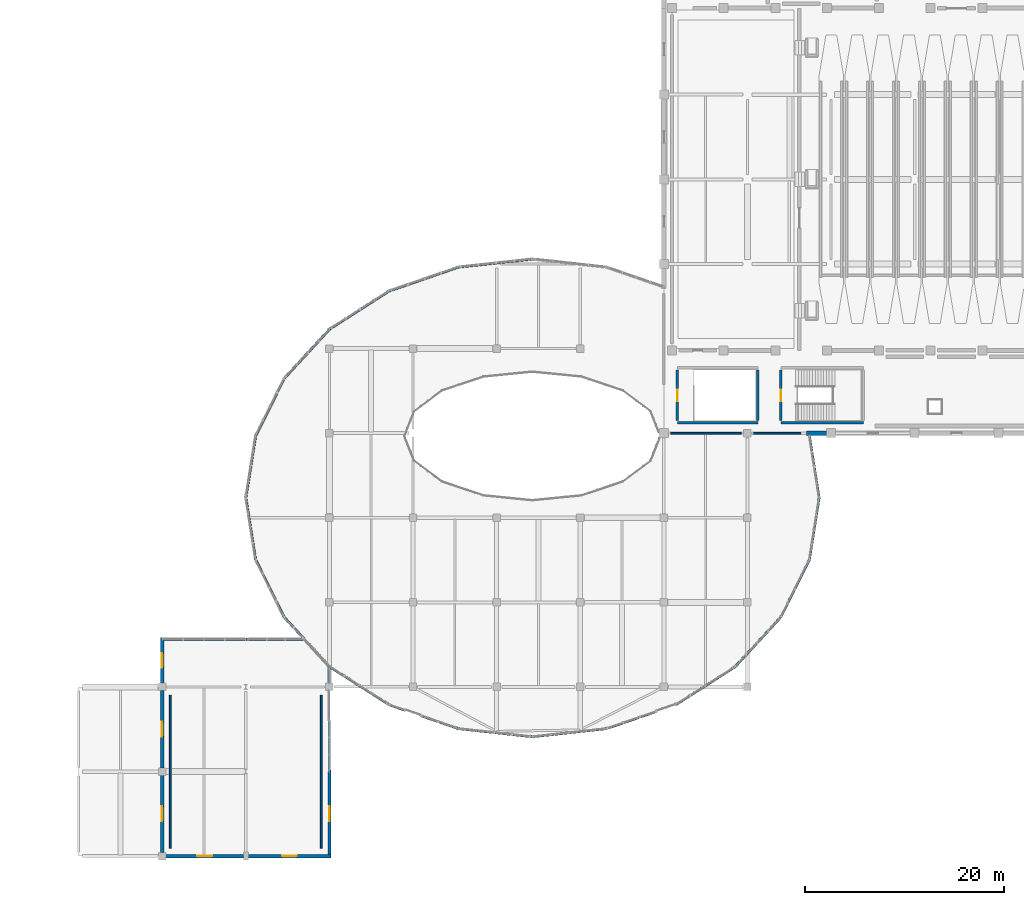
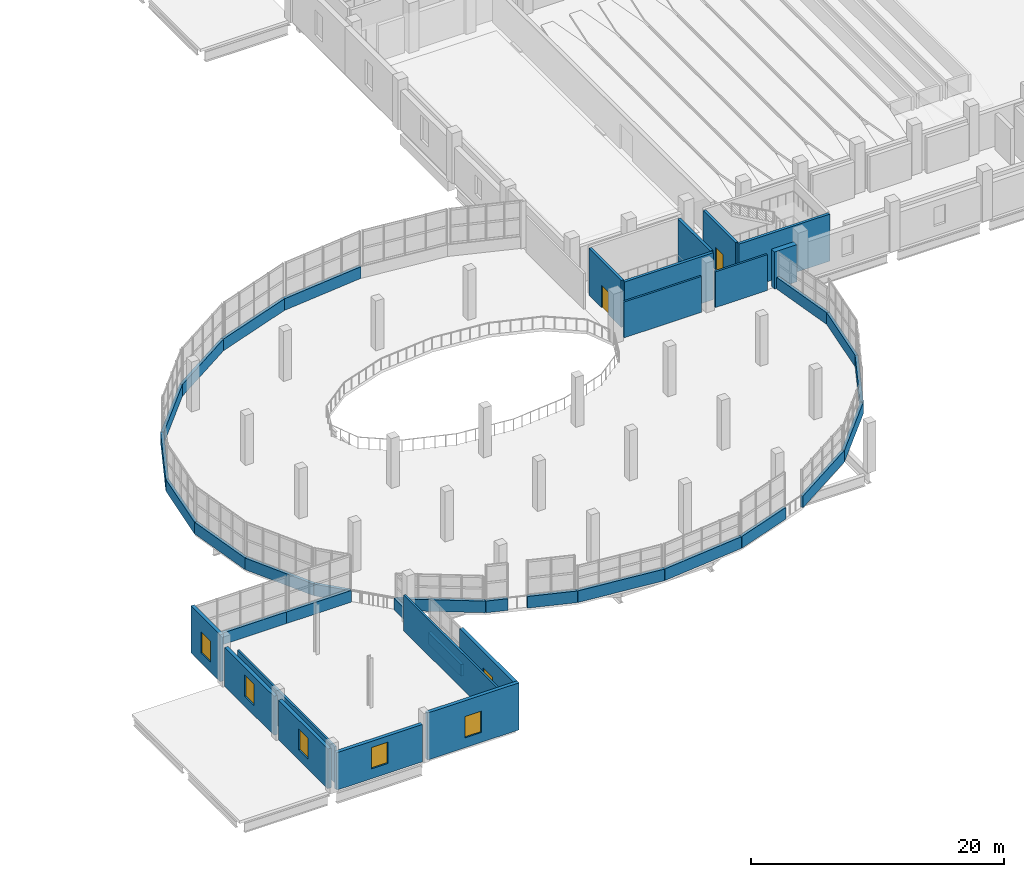
# One storey, part 96 of 117: 40 walls, 6 windows, 2 doors, 8 openings.
"""IFC4 building model written with IfcOpenShell, lengths in metres."""

from ifc_helpers import new_model, si_unit, direction, frame, frame_2d, origin, place, context, subcontext, project, spatial, rectangle, extrude, material, layer, layer_set, type_object, element, fill, save


model = new_model("IFC4")

# Units and contexts
model_context = context("Model", 3, precision=1e-05, world=origin(), true_north=direction((0.0, 1.0)))
body_context = subcontext(model_context, "Body", "Model", "MODEL_VIEW")
ifc_project = project(units=[si_unit("LENGTHUNIT", "METRE"), si_unit("AREAUNIT", "SQUARE_METRE"), si_unit("VOLUMEUNIT", "CUBIC_METRE"), si_unit("PLANEANGLEUNIT", "RADIAN"), si_unit("MASSUNIT", "GRAM", prefix="KILO")], contexts=[model_context])

# Site, building, storey
site_placement = place(None, origin())
site = spatial("IfcSite", under=ifc_project, at=site_placement, CompositionType="ELEMENT")
building_placement = place(site_placement, origin())
building = spatial("IfcBuilding", under=site, at=building_placement, Name="Solvento Point Concert Hall", CompositionType="ELEMENT")
storey_placement = place(building_placement, frame((0.0, 0.0, 5.39990234375)))
storey = spatial("IfcBuildingStorey", under=building, at=storey_placement, Name="L01", CompositionType="ELEMENT", Elevation=5.39990234375)

# Walls
ifc_material_1 = material(Name="Acoustic Double-Stud Gypsum Partition")
ifc_layer_1 = layer(ifc_material_1, 0.179931640625)
ifc_layer_set_1 = layer_set([ifc_layer_1], Name="Acoustic Double-Stud Gypsum Partition")
wall_type_1 = type_object("IfcWallType", Name="AcousticPartition_180", PredefinedType="PARTITIONING", material=ifc_layer_set_1)
wall_1_placement = place(storey_placement, frame((75.10009765625, 42.47998046875, 0.0), z_axis=(0.0, 0.0, 1.0), x_axis=(1.0, 0.0, 0.0)))
element("IfcWall", 1, at=wall_1_placement, inside=storey, type_object=wall_type_1, Name="Interior acoustic partition PW-63 L01", PredefinedType="PARTITIONING", context=body_context, shape_type="SweptSolid", body=[
    extrude(rectangle(XDim=7.074951171875, YDim=0.179931640625, at=frame_2d((3.53759765625, 0.0))), origin(), (0.0, 0.0, 1.0), 3.4501953125),
])
wall_2_placement = place(storey_placement, frame((83.425048828125, 42.47998046875, 0.0), z_axis=(0.0, 0.0, 1.0), x_axis=(1.0, 0.0, 0.0)))
element("IfcWall", 2, at=wall_2_placement, inside=storey, type_object=wall_type_1, Name="Interior acoustic partition PW-63 L01", PredefinedType="PARTITIONING", context=body_context, shape_type="SweptSolid", body=[
    extrude(rectangle(XDim=4.75146484375, YDim=0.179931640625, at=frame_2d((2.375732421875, 0.0))), origin(), (0.0, 0.0, 1.0), 3.4501953125),
])
for number, where, z_axis, x_axis, name in (
    (3, (39.97998046875, 16.179931640625, 0.0), (0.0, 0.0, 1.0), (0.0, -1.0, 0.0), "Interior acoustic partition PW-63 L01"),
    (4, (24.820068359375, 0.820068359375, 0.0), (0.0, 0.0, 1.0), (0.0, 1.0, 0.0), "Interior acoustic partition PW-63 L01"),
):
    element("IfcWall", number, at=place(storey_placement, frame(where, z_axis=z_axis, x_axis=x_axis)), inside=storey, type_object=wall_type_1, Name=name, PredefinedType="PARTITIONING", context=body_context, shape_type="SweptSolid", body=[
        extrude(rectangle(XDim=15.35986328125, YDim=0.179931640625, at=frame_2d((7.679931640625, 0.0))), origin(), (0.0, 0.0, 1.0), 3.4501953125),
    ])
ifc_material_2 = material(Name="Concrete C40/50", Category="concrete")
ifc_layer_2 = layer(ifc_material_2, 0.300048828125)
ifc_layer_set_2 = layer_set([ifc_layer_2], Name="Concrete C40/50")
wall_type_2 = type_object("IfcWallType", Name="CoreShearWall_300", PredefinedType="SHEAR", material=ifc_layer_set_2)
wall_3_placement = place(storey_placement, frame((94.449951171875, 43.550048828125, 0.0), z_axis=(0.0, 0.0, 1.0), x_axis=(-1.0, 0.0, 0.0)))
element("IfcWall", 5, at=wall_3_placement, inside=storey, type_object=wall_type_2, Name="Stair core shear wall W-SH1 ST-06 L01", PredefinedType="SHEAR", context=body_context, shape_type="SweptSolid", body=[
    extrude(rectangle(XDim=8.300048828125, YDim=0.25, at=frame_2d((4.14990234375, 0.0))), origin(), (0.0, 0.0, 1.0), 4.530029296875),
])

# Wall, opening, door
wall_4_placement = place(storey_placement, frame((86.14990234375, 43.75, 0.0), z_axis=(0.0, 0.0, 1.0), x_axis=(0.0, 1.0, 0.0)))
wall_4 = element("IfcWall", 6, at=wall_4_placement, inside=storey, type_object=wall_type_2, Name="Stair core shear wall W-SH1 ST-06 L01", PredefinedType="SHEAR", context=body_context, shape_type="SweptSolid", body=[
    extrude(rectangle(XDim=5.10009765625, YDim=0.25, at=frame_2d((2.550048828125, 0.0))), origin(), (0.0, 0.0, 1.0), 4.530029296875),
])
opening_1_placement = place(wall_4_placement, frame((1.97509765625, 0.0, 0.0)))
opening_1 = element("IfcOpeningElement", 7, at=opening_1_placement, cuts=wall_4, Name="Opening D-ST1", PredefinedType="OPENING", context=body_context, shape_type="SweptSolid", body=[
    extrude(rectangle(XDim=1.14990234375, YDim=2.179931640625, at=frame_2d((0.574951171875, 1.08984375))), frame((0.0, 0.135009765625, 0.0), z_axis=(0.0, -1.0, 0.0), x_axis=(1.0, 0.0, 0.0)), (0.0, 0.0, 1.0), 0.27001953125),
])
ifc_material_3 = material(Name="Hollow Metal Acoustic Fire Door")
door_type = type_object("IfcDoorType", Name="StairFireDoor_1150", OperationType="NOTDEFINED", PredefinedType="DOOR", material=ifc_material_3)
door_1_placement = place(opening_1_placement, origin())
door_1 = element("IfcDoor", 8, at=door_1_placement, inside=storey, type_object=door_type, Name="Protected exit stair door ST-06 L01", OperationType="SINGLE_SWING_LEFT", OverallHeight=2.179931640625, OverallWidth=1.14990234375, PredefinedType="DOOR", context=body_context, shape_type="SweptSolid", body=[
    extrude(rectangle(XDim=1.14990234375, YDim=2.179931640625, at=frame_2d((0.574951171875, 1.08984375))), frame((0.0, 0.02490234375, 0.0), z_axis=(0.0, -1.0, 0.0), x_axis=(1.0, 0.0, 0.0)), (0.0, 0.0, 1.0), 0.050048828125),
])
fill(opening_1, door_1)

# Wall
wall_5_placement = place(storey_placement, frame((83.85009765625, 43.550048828125, 0.0), z_axis=(0.0, 0.0, 1.0), x_axis=(-1.0, 0.0, 0.0)))
element("IfcWall", 9, at=wall_5_placement, inside=storey, type_object=wall_type_2, Name="Stair core shear wall W-SH1 VOM-01 L01", PredefinedType="SHEAR", context=body_context, shape_type="SweptSolid", body=[
    extrude(rectangle(XDim=8.10009765625, YDim=0.25, at=frame_2d((4.050048828125, 0.0))), origin(), (0.0, 0.0, 1.0), 4.530029296875),
])

# Wall, opening, door
wall_6_placement = place(storey_placement, frame((75.75, 43.75, 0.0), z_axis=(0.0, 0.0, 1.0), x_axis=(0.0, 1.0, 0.0)))
wall_6 = element("IfcWall", 10, at=wall_6_placement, inside=storey, type_object=wall_type_2, Name="Stair core shear wall W-SH1 VOM-01 L01", PredefinedType="SHEAR", context=body_context, shape_type="SweptSolid", body=[
    extrude(rectangle(XDim=5.10009765625, YDim=0.25, at=frame_2d((2.550048828125, 0.0))), origin(), (0.0, 0.0, 1.0), 4.530029296875),
])
opening_2_placement = place(wall_6_placement, frame((1.97509765625, 0.0, 0.0)))
opening_2 = element("IfcOpeningElement", 11, at=opening_2_placement, cuts=wall_6, Name="Opening D-ST1", PredefinedType="OPENING", context=body_context, shape_type="SweptSolid", body=[
    extrude(rectangle(XDim=1.14990234375, YDim=2.179931640625, at=frame_2d((0.574951171875, 1.08984375))), frame((0.0, 0.135009765625, 0.0), z_axis=(0.0, -1.0, 0.0), x_axis=(1.0, 0.0, 0.0)), (0.0, 0.0, 1.0), 0.27001953125),
])
door_2_placement = place(opening_2_placement, origin())
door_2 = element("IfcDoor", 12, at=door_2_placement, inside=storey, type_object=door_type, Name="Protected exit stair door VOM-01 L01", OperationType="SINGLE_SWING_LEFT", OverallHeight=2.179931640625, OverallWidth=1.14990234375, PredefinedType="DOOR", context=body_context, shape_type="SweptSolid", body=[
    extrude(rectangle(XDim=1.14990234375, YDim=2.179931640625, at=frame_2d((0.574951171875, 1.08984375))), frame((0.0, 0.02490234375, 0.0), z_axis=(0.0, -1.0, 0.0), x_axis=(1.0, 0.0, 0.0)), (0.0, 0.0, 1.0), 0.050048828125),
])
fill(opening_2, door_2)

# Walls
wall_7_placement = place(storey_placement, frame((83.85009765625, 48.85009765625, 0.0), z_axis=(0.0, 0.0, 1.0), x_axis=(0.0, -1.0, 0.0)))
element("IfcWall", 13, at=wall_7_placement, inside=storey, type_object=wall_type_2, Name="Stair core shear wall W-SH1 VOM-01 L01", PredefinedType="SHEAR", context=body_context, shape_type="SweptSolid", body=[
    extrude(rectangle(XDim=5.10009765625, YDim=0.25, at=frame_2d((2.550048828125, 0.0))), origin(), (0.0, 0.0, 1.0), 4.530029296875),
])
ifc_material_4 = material(Name="Concrete C40/50", Category="concrete")
ifc_layer_3 = layer(ifc_material_4, 0.47998046875)
ifc_layer_set_3 = layer_set([ifc_layer_3], Name="Concrete C40/50")
wall_type_3 = type_object("IfcWallType", Name="ExtWall_V1_Drum_480", PredefinedType="SOLIDWALL", material=ifc_layer_set_3)
wall_8_placement = place(storey_placement, frame((90.77001953125, 42.5, 0.0), z_axis=(0.0, 0.0, 1.0), x_axis=(-1.0, 0.0, 0.0)))
element("IfcWall", 14, at=wall_8_placement, inside=storey, type_object=wall_type_3, Name="Exterior architectural concrete wall EW-46 L01", PredefinedType="SOLIDWALL", context=body_context, shape_type="SweptSolid", body=[
    extrude(rectangle(XDim=2.0546875, YDim=0.47998046875, at=frame_2d((1.02734375, 0.0))), origin(), (0.0, 0.0, 1.0), 3.57421875),
])

# Wall, opening, window
ifc_material_5 = material(Name="Concrete C40/50", Category="concrete")
ifc_layer_4 = layer(ifc_material_5, 0.320068359375)
ifc_layer_set_4 = layer_set([ifc_layer_4], Name="Concrete C40/50")
wall_type_4 = type_object("IfcWallType", Name="ExtWall_V2_Ring_320", PredefinedType="SOLIDWALL", material=ifc_layer_set_4)
wall_9_placement = place(storey_placement, frame((32.169921875, 0.0, 0.0), z_axis=(0.0, 0.0, 1.0), x_axis=(-1.0, 0.0, 0.0)))
wall_9 = element("IfcWall", 15, at=wall_9_placement, inside=storey, type_object=wall_type_4, Name="Exterior architectural concrete wall EW-71 L01", PredefinedType="SOLIDWALL", context=body_context, shape_type="SweptSolid", body=[
    extrude(rectangle(XDim=7.81494140625, YDim=0.320068359375, at=frame_2d((3.907470703125, 0.0))), origin(), (0.0, 0.0, 1.0), 3.59912109375),
])
opening_3_placement = place(wall_9_placement, frame((3.157470703125, 0.0, 0.949951171875)))
opening_3 = element("IfcOpeningElement", 16, at=opening_3_placement, cuts=wall_9, Name="Opening WN-75", PredefinedType="OPENING", context=body_context, shape_type="SweptSolid", body=[
    extrude(rectangle(XDim=1.5, YDim=2.050048828125, at=frame_2d((0.75, 1.02490234375))), frame((0.0, 0.169921875, 0.0), z_axis=(0.0, -1.0, 0.0), x_axis=(1.0, 0.0, 0.0)), (0.0, 0.0, 1.0), 0.340087890625),
])
ifc_material_6 = material(Name="Hurricane Laminated Low-E Glass", Category="glass")
window_type = type_object("IfcWindowType", Name="Win_V2_RingChord", PartitioningType="SINGLE_PANEL", PredefinedType="WINDOW", material=ifc_material_6)
window_1_placement = place(opening_3_placement, origin())
window_1 = element("IfcWindow", 17, at=window_1_placement, inside=storey, type_object=window_type, Name="Impact acoustic window WN-75", OverallHeight=2.050048828125, OverallWidth=1.5, PartitioningType="SINGLE_PANEL", PredefinedType="WINDOW", context=body_context, shape_type="SweptSolid", body=[
    extrude(rectangle(XDim=1.5, YDim=2.050048828125, at=frame_2d((0.75, 1.02490234375))), frame((0.0, 0.030029296875, 0.0), z_axis=(0.0, -1.0, 0.0), x_axis=(1.0, 0.0, 0.0)), (0.0, 0.0, 1.0), 0.06005859375),
])
fill(opening_3, window_1)

wall_10_placement = place(storey_placement, frame((40.9599609375, 0.0, 0.0), z_axis=(0.0, 0.0, 1.0), x_axis=(-1.0, 0.0, 0.0)))
wall_10 = element("IfcWall", 18, at=wall_10_placement, inside=storey, type_object=wall_type_4, Name="Exterior architectural concrete wall EW-71 L01", PredefinedType="SOLIDWALL", context=body_context, shape_type="SweptSolid", body=[
    extrude(rectangle(XDim=8.330078125, YDim=0.320068359375, at=frame_2d((4.1650390625, 0.0))), origin(), (0.0, 0.0, 1.0), 4.530029296875),
])
opening_4_placement = place(wall_10_placement, frame((3.4150390625, 0.0, 0.949951171875)))
opening_4 = element("IfcOpeningElement", 19, at=opening_4_placement, cuts=wall_10, Name="Opening WN-75", PredefinedType="OPENING", context=body_context, shape_type="SweptSolid", body=[
    extrude(rectangle(XDim=1.5, YDim=2.050048828125, at=frame_2d((0.75, 1.02490234375))), frame((0.0, 0.169921875, 0.0), z_axis=(0.0, -1.0, 0.0), x_axis=(1.0, 0.0, 0.0)), (0.0, 0.0, 1.0), 0.340087890625),
])
window_2_placement = place(opening_4_placement, origin())
window_2 = element("IfcWindow", 20, at=window_2_placement, inside=storey, type_object=window_type, Name="Impact acoustic window WN-75", OverallHeight=2.050048828125, OverallWidth=1.5, PartitioningType="SINGLE_PANEL", PredefinedType="WINDOW", context=body_context, shape_type="SweptSolid", body=[
    extrude(rectangle(XDim=1.5, YDim=2.050048828125, at=frame_2d((0.75, 1.02490234375))), frame((0.0, 0.030029296875, 0.0), z_axis=(0.0, -1.0, 0.0), x_axis=(1.0, 0.0, 0.0)), (0.0, 0.0, 1.0), 0.06005859375),
])
fill(opening_4, window_2)

wall_11_placement = place(storey_placement, frame((24.0, 0.35498046875, 0.0), z_axis=(0.0, 0.0, 1.0), x_axis=(0.0, 1.0, 0.0)))
wall_11 = element("IfcWall", 21, at=wall_11_placement, inside=storey, type_object=wall_type_4, Name="Exterior architectural concrete wall EW-71 L01", PredefinedType="SOLIDWALL", context=body_context, shape_type="SweptSolid", body=[
    extrude(rectangle(XDim=7.7900390625, YDim=0.320068359375, at=frame_2d((3.89501953125, 0.0))), origin(), (0.0, 0.0, 1.0), 3.826171875),
])
opening_5_placement = place(wall_11_placement, frame((3.14501953125, 0.0, 0.949951171875)))
opening_5 = element("IfcOpeningElement", 22, at=opening_5_placement, cuts=wall_11, Name="Opening WN-75", PredefinedType="OPENING", context=body_context, shape_type="SweptSolid", body=[
    extrude(rectangle(XDim=1.5, YDim=2.050048828125, at=frame_2d((0.75, 1.02490234375))), frame((0.0, 0.169921875, 0.0), z_axis=(0.0, -1.0, 0.0), x_axis=(1.0, 0.0, 0.0)), (0.0, 0.0, 1.0), 0.340087890625),
])
window_3_placement = place(opening_5_placement, origin())
window_3 = element("IfcWindow", 23, at=window_3_placement, inside=storey, type_object=window_type, Name="Impact acoustic window WN-75", OverallHeight=2.050048828125, OverallWidth=1.5, PartitioningType="SINGLE_PANEL", PredefinedType="WINDOW", context=body_context, shape_type="SweptSolid", body=[
    extrude(rectangle(XDim=1.5, YDim=2.050048828125, at=frame_2d((0.75, 1.02490234375))), frame((0.0, 0.030029296875, 0.0), z_axis=(0.0, -1.0, 0.0), x_axis=(1.0, 0.0, 0.0)), (0.0, 0.0, 1.0), 0.06005859375),
])
fill(opening_5, window_3)

wall_12_placement = place(storey_placement, frame((24.0, 8.85498046875, 0.0), z_axis=(0.0, 0.0, 1.0), x_axis=(0.0, 1.0, 0.0)))
wall_12 = element("IfcWall", 24, at=wall_12_placement, inside=storey, type_object=wall_type_4, Name="Exterior architectural concrete wall EW-71 L01", PredefinedType="SOLIDWALL", context=body_context, shape_type="SweptSolid", body=[
    extrude(rectangle(XDim=7.7900390625, YDim=0.320068359375, at=frame_2d((3.89501953125, 0.0))), origin(), (0.0, 0.0, 1.0), 3.7490234375),
])
opening_6_placement = place(wall_12_placement, frame((3.14501953125, 0.0, 0.949951171875)))
opening_6 = element("IfcOpeningElement", 25, at=opening_6_placement, cuts=wall_12, Name="Opening WN-75", PredefinedType="OPENING", context=body_context, shape_type="SweptSolid", body=[
    extrude(rectangle(XDim=1.5, YDim=2.050048828125, at=frame_2d((0.75, 1.02490234375))), frame((0.0, 0.169921875, 0.0), z_axis=(0.0, -1.0, 0.0), x_axis=(1.0, 0.0, 0.0)), (0.0, 0.0, 1.0), 0.340087890625),
])
window_4_placement = place(opening_6_placement, origin())
window_4 = element("IfcWindow", 26, at=window_4_placement, inside=storey, type_object=window_type, Name="Impact acoustic window WN-75", OverallHeight=2.050048828125, OverallWidth=1.5, PartitioningType="SINGLE_PANEL", PredefinedType="WINDOW", context=body_context, shape_type="SweptSolid", body=[
    extrude(rectangle(XDim=1.5, YDim=2.050048828125, at=frame_2d((0.75, 1.02490234375))), frame((0.0, 0.030029296875, 0.0), z_axis=(0.0, -1.0, 0.0), x_axis=(1.0, 0.0, 0.0)), (0.0, 0.0, 1.0), 0.06005859375),
])
fill(opening_6, window_4)

wall_13_placement = place(storey_placement, frame((24.0, 17.35498046875, 0.0), z_axis=(0.0, 0.0, 1.0), x_axis=(0.0, 1.0, 0.0)))
wall_13 = element("IfcWall", 27, at=wall_13_placement, inside=storey, type_object=wall_type_4, Name="Exterior architectural concrete wall EW-71 L01", PredefinedType="SOLIDWALL", context=body_context, shape_type="SweptSolid", body=[
    extrude(rectangle(XDim=4.60498046875, YDim=0.320068359375, at=frame_2d((2.302490234375, 0.0))), origin(), (0.0, 0.0, 1.0), 4.530029296875),
])
opening_7_placement = place(wall_13_placement, frame((1.552490234375, 0.0, 0.949951171875)))
opening_7 = element("IfcOpeningElement", 28, at=opening_7_placement, cuts=wall_13, Name="Opening WN-75", PredefinedType="OPENING", context=body_context, shape_type="SweptSolid", body=[
    extrude(rectangle(XDim=1.5, YDim=2.050048828125, at=frame_2d((0.75, 1.02490234375))), frame((0.0, 0.169921875, 0.0), z_axis=(0.0, -1.0, 0.0), x_axis=(1.0, 0.0, 0.0)), (0.0, 0.0, 1.0), 0.340087890625),
])
window_5_placement = place(opening_7_placement, origin())
window_5 = element("IfcWindow", 29, at=window_5_placement, inside=storey, type_object=window_type, Name="Impact acoustic window WN-75", OverallHeight=2.050048828125, OverallWidth=1.5, PartitioningType="SINGLE_PANEL", PredefinedType="WINDOW", context=body_context, shape_type="SweptSolid", body=[
    extrude(rectangle(XDim=1.5, YDim=2.050048828125, at=frame_2d((0.75, 1.02490234375))), frame((0.0, 0.030029296875, 0.0), z_axis=(0.0, -1.0, 0.0), x_axis=(1.0, 0.0, 0.0)), (0.0, 0.0, 1.0), 0.06005859375),
])
fill(opening_7, window_5)

wall_14_placement = place(storey_placement, frame((40.800048828125, 8.659912109375, 0.0), z_axis=(0.0, 0.0, 1.0), x_axis=(0.0, -1.0, 0.0)))
wall_14 = element("IfcWall", 30, at=wall_14_placement, inside=storey, type_object=wall_type_4, Name="Exterior architectural concrete wall EW-71 L01", PredefinedType="SOLIDWALL", context=body_context, shape_type="SweptSolid", body=[
    extrude(rectangle(XDim=8.81982421875, YDim=0.320068359375, at=frame_2d((4.409912109375, 0.0))), origin(), (0.0, 0.0, 1.0), 4.530029296875),
])
opening_8_placement = place(wall_14_placement, frame((3.659912109375, 0.0, 0.949951171875)))
opening_8 = element("IfcOpeningElement", 31, at=opening_8_placement, cuts=wall_14, Name="Opening WN-75", PredefinedType="OPENING", context=body_context, shape_type="SweptSolid", body=[
    extrude(rectangle(XDim=1.5, YDim=2.050048828125, at=frame_2d((0.75, 1.02490234375))), frame((0.0, 0.169921875, 0.0), z_axis=(0.0, -1.0, 0.0), x_axis=(1.0, 0.0, 0.0)), (0.0, 0.0, 1.0), 0.340087890625),
])
window_6_placement = place(opening_8_placement, origin())
window_6 = element("IfcWindow", 32, at=window_6_placement, inside=storey, type_object=window_type, Name="Impact acoustic window WN-75", OverallHeight=2.050048828125, OverallWidth=1.5, PartitioningType="SINGLE_PANEL", PredefinedType="WINDOW", context=body_context, shape_type="SweptSolid", body=[
    extrude(rectangle(XDim=1.5, YDim=2.050048828125, at=frame_2d((0.75, 1.02490234375))), frame((0.0, 0.030029296875, 0.0), z_axis=(0.0, -1.0, 0.0), x_axis=(1.0, 0.0, 0.0)), (0.0, 0.0, 1.0), 0.06005859375),
])
fill(opening_8, window_6)

# Walls
ifc_material_7 = material(Name="Concrete C40/50", Category="concrete")
ifc_layer_5 = layer(ifc_material_7, 0.260009765625)
ifc_layer_set_5 = layer_set([ifc_layer_5], Name="Concrete C40/50")
wall_type_5 = type_object("IfcWallType", Name="Parapet_Ring_260", PredefinedType="PARAPET", material=ifc_layer_set_5)
wall_15_placement = place(storey_placement, frame((24.0, 21.800048828125, 0.0), z_axis=(0.0, 0.0, 1.0), x_axis=(1.0, 0.0, 0.0)))
element("IfcWall", 33, at=wall_15_placement, inside=storey, type_object=wall_type_5, Name="Sliding elliptical white concrete ring spandrel PR-01 L01", PredefinedType="PARAPET", context=body_context, shape_type="SweptSolid", body=[
    extrude(rectangle(XDim=8.39990234375, YDim=0.260009765625, at=frame_2d((4.199951171875, 0.0))), origin(), (0.0, 0.0, 1.0), 1.1201171875),
])
wall_16_placement = place(storey_placement, frame((32.39990234375, 21.800048828125, 0.0), z_axis=(0.0, 0.0, 1.0), x_axis=(1.0, 0.0, 0.0)))
element("IfcWall", 34, at=wall_16_placement, inside=storey, type_object=wall_type_5, Name="Sliding elliptical white concrete ring spandrel PR-01 L01", PredefinedType="PARAPET", context=body_context, shape_type="SweptSolid", body=[
    extrude(rectangle(XDim=5.88427734375, YDim=0.260009765625, at=frame_2d((2.942138671875, 0.0))), origin(), (0.0, 0.0, 1.0), 1.1201171875),
])
wall_17_placement = place(storey_placement, frame((38.2841796875, 21.800048828125, 0.0), z_axis=(0.0, 0.0, 1.0), x_axis=(-0.677360674608, 0.735651083391, 0.0)))
element("IfcWall", 35, at=wall_17_placement, inside=storey, type_object=wall_type_5, Name="Sliding elliptical white concrete ring spandrel PR-01 L01", PredefinedType="PARAPET", context=body_context, shape_type="SweptSolid", body=[
    extrude(rectangle(XDim=2.990478515625, YDim=0.260009765625, at=frame_2d((1.4951171875, 0.0))), origin(), (0.0, 0.0, 1.0), 1.1201171875),
])
wall_18_placement = place(storey_placement, frame((36.258544921875, 24.0, 0.0), z_axis=(0.0, 0.0, 1.0), x_axis=(-0.445112384226, 0.895474715114, 0.0)))
element("IfcWall", 36, at=wall_18_placement, inside=storey, type_object=wall_type_5, Name="Sliding elliptical white concrete ring spandrel PR-01 L01", PredefinedType="PARAPET", context=body_context, shape_type="SweptSolid", body=[
    extrude(rectangle(XDim=6.4638671875, YDim=0.260009765625, at=frame_2d((3.23193359375, 0.0))), origin(), (0.0, 0.0, 1.0), 1.1201171875),
])
for number, where, z_axis, x_axis, name in (
    (37, (33.38134765625, 29.788330078125, 0.0), (0.0, 0.0, 1.0), (-0.15606424419, 0.987746906695, 0.0), "Sliding elliptical white concrete ring spandrel PR-01 L01"),
    (38, (32.39990234375, 36.0, 0.0), (0.0, 0.0, 1.0), (0.15606424419, 0.987746906695, 0.0), "Sliding elliptical white concrete ring spandrel PR-01 L01"),
):
    element("IfcWall", number, at=place(storey_placement, frame(where, z_axis=z_axis, x_axis=x_axis)), inside=storey, type_object=wall_type_5, Name=name, PredefinedType="PARAPET", context=body_context, shape_type="SweptSolid", body=[
        extrude(rectangle(XDim=6.288818359375, YDim=0.260009765625, at=frame_2d((3.14453125, 0.0))), origin(), (0.0, 0.0, 1.0), 1.1201171875),
    ])
wall_19_placement = place(storey_placement, frame((33.38134765625, 42.211669921875, 0.0), z_axis=(0.0, 0.0, 1.0), x_axis=(0.445112384226, 0.895474715114, 0.0)))
element("IfcWall", 39, at=wall_19_placement, inside=storey, type_object=wall_type_5, Name="Sliding elliptical white concrete ring spandrel PR-01 L01", PredefinedType="PARAPET", context=body_context, shape_type="SweptSolid", body=[
    extrude(rectangle(XDim=6.4638671875, YDim=0.260009765625, at=frame_2d((3.23193359375, 0.0))), origin(), (0.0, 0.0, 1.0), 1.1201171875),
])
wall_20_placement = place(storey_placement, frame((36.258544921875, 48.0, 0.0), z_axis=(0.0, 0.0, 1.0), x_axis=(0.677346104657, 0.735664498604, 0.0)))
element("IfcWall", 40, at=wall_20_placement, inside=storey, type_object=wall_type_5, Name="Sliding elliptical white concrete ring spandrel PR-01 L01", PredefinedType="PARAPET", context=body_context, shape_type="SweptSolid", body=[
    extrude(rectangle(XDim=6.7568359375, YDim=0.260009765625, at=frame_2d((3.37841796875, 0.0))), origin(), (0.0, 0.0, 1.0), 1.1201171875),
])
wall_21_placement = place(storey_placement, frame((40.835205078125, 52.970703125, 0.0), z_axis=(0.0, 0.0, 1.0), x_axis=(0.842498031916, 0.53869942103, 0.0)))
element("IfcWall", 41, at=wall_21_placement, inside=storey, type_object=wall_type_5, Name="Sliding elliptical white concrete ring spandrel PR-01 L01", PredefinedType="PARAPET", context=body_context, shape_type="SweptSolid", body=[
    extrude(rectangle(XDim=7.079833984375, YDim=0.260009765625, at=frame_2d((3.5400390625, 0.0))), origin(), (0.0, 0.0, 1.0), 1.1201171875),
])
wall_22_placement = place(storey_placement, frame((46.800048828125, 56.78466796875, 0.0), z_axis=(0.0, 0.0, 1.0), x_axis=(0.945277609802, 0.326267130444, 0.0)))
element("IfcWall", 42, at=wall_22_placement, inside=storey, type_object=wall_type_5, Name="Sliding elliptical white concrete ring spandrel PR-01 L01", PredefinedType="PARAPET", context=body_context, shape_type="SweptSolid", body=[
    extrude(rectangle(XDim=7.34814453125, YDim=0.260009765625, at=frame_2d((3.674072265625, 0.0))), origin(), (0.0, 0.0, 1.0), 1.1201171875),
])
wall_23_placement = place(storey_placement, frame((53.74609375, 59.18212890625, 0.0), z_axis=(0.0, 0.0, 1.0), x_axis=(0.99403407861, 0.109069934275, 0.0)))
element("IfcWall", 43, at=wall_23_placement, inside=storey, type_object=wall_type_5, Name="Sliding elliptical white concrete ring spandrel PR-01 L01", PredefinedType="PARAPET", context=body_context, shape_type="SweptSolid", body=[
    extrude(rectangle(XDim=7.49853515625, YDim=0.260009765625, at=frame_2d((3.749267578125, 0.0))), origin(), (0.0, 0.0, 1.0), 1.1201171875),
])
for number, where, z_axis, x_axis, name in (
    (44, (89.018798828125, 42.211669921875, 0.0), (0.0, 0.0, 1.0), (0.156026367443, -0.987752890485, 0.0), "Sliding elliptical white concrete ring spandrel PR-01 L01"),
    (45, (90.0, 36.0, 0.0), (0.0, 0.0, 1.0), (-0.156026367443, -0.987752890485, 0.0), "Sliding elliptical white concrete ring spandrel PR-01 L01"),
):
    element("IfcWall", number, at=place(storey_placement, frame(where, z_axis=z_axis, x_axis=x_axis)), inside=storey, type_object=wall_type_5, Name=name, PredefinedType="PARAPET", context=body_context, shape_type="SweptSolid", body=[
        extrude(rectangle(XDim=6.28857421875, YDim=0.260009765625, at=frame_2d((3.144287109375, 0.0))), origin(), (0.0, 0.0, 1.0), 1.1201171875),
    ])
wall_24_placement = place(storey_placement, frame((89.018798828125, 29.788330078125, 0.0), z_axis=(0.0, 0.0, 1.0), x_axis=(-0.445112384226, -0.895474715114, 0.0)))
element("IfcWall", 46, at=wall_24_placement, inside=storey, type_object=wall_type_5, Name="Sliding elliptical white concrete ring spandrel PR-01 L01", PredefinedType="PARAPET", context=body_context, shape_type="SweptSolid", body=[
    extrude(rectangle(XDim=6.4638671875, YDim=0.260009765625, at=frame_2d((3.23193359375, 0.0))), origin(), (0.0, 0.0, 1.0), 1.1201171875),
])
wall_25_placement = place(storey_placement, frame((86.1416015625, 24.0, 0.0), z_axis=(0.0, 0.0, 1.0), x_axis=(-0.677365659111, -0.735646493812, 0.0)))
element("IfcWall", 47, at=wall_25_placement, inside=storey, type_object=wall_type_5, Name="Sliding elliptical white concrete ring spandrel PR-01 L01", PredefinedType="PARAPET", context=body_context, shape_type="SweptSolid", body=[
    extrude(rectangle(XDim=6.7568359375, YDim=0.260009765625, at=frame_2d((3.37841796875, 0.0))), origin(), (0.0, 0.0, 1.0), 1.1201171875),
])
wall_26_placement = place(storey_placement, frame((81.564697265625, 19.029296875, 0.0), z_axis=(0.0, 0.0, 1.0), x_axis=(-0.842488024503, -0.538715071785, 0.0)))
element("IfcWall", 48, at=wall_26_placement, inside=storey, type_object=wall_type_5, Name="Sliding elliptical white concrete ring spandrel PR-01 L01", PredefinedType="PARAPET", context=body_context, shape_type="SweptSolid", body=[
    extrude(rectangle(XDim=7.079833984375, YDim=0.260009765625, at=frame_2d((3.5400390625, 0.0))), origin(), (0.0, 0.0, 1.0), 1.1201171875),
])
wall_27_placement = place(storey_placement, frame((73.655029296875, 14.5439453125, 0.0), z_axis=(0.0, 0.0, 1.0), x_axis=(-0.945279765827, -0.326260883831, 0.0)))
element("IfcWall", 49, at=wall_27_placement, inside=storey, type_object=wall_type_5, Name="Sliding elliptical white concrete ring spandrel PR-01 L01", PredefinedType="PARAPET", context=body_context, shape_type="SweptSolid", body=[
    extrude(rectangle(XDim=5.29052734375, YDim=0.260009765625, at=frame_2d((2.645263671875, 0.0))), origin(), (0.0, 0.0, 1.0), 1.1201171875),
])
wall_28_placement = place(storey_placement, frame((68.654052734375, 12.81787109375, 0.0), z_axis=(0.0, 0.0, 1.0), x_axis=(-0.994034465911, -0.109066404454, 0.0)))
element("IfcWall", 50, at=wall_28_placement, inside=storey, type_object=wall_type_5, Name="Sliding elliptical white concrete ring spandrel PR-01 L01", PredefinedType="PARAPET", context=body_context, shape_type="SweptSolid", body=[
    extrude(rectangle(XDim=7.498779296875, YDim=0.260009765625, at=frame_2d((3.74951171875, 0.0))), origin(), (0.0, 0.0, 1.0), 1.1201171875),
])
wall_29_placement = place(storey_placement, frame((61.199951171875, 12.0, 0.0), z_axis=(0.0, 0.0, 1.0), x_axis=(-0.99403407861, 0.109069934275, 0.0)))
element("IfcWall", 51, at=wall_29_placement, inside=storey, type_object=wall_type_5, Name="Sliding elliptical white concrete ring spandrel PR-01 L01", PredefinedType="PARAPET", context=body_context, shape_type="SweptSolid", body=[
    extrude(rectangle(XDim=7.49853515625, YDim=0.260009765625, at=frame_2d((3.749267578125, 0.0))), origin(), (0.0, 0.0, 1.0), 1.1201171875),
])
wall_30_placement = place(storey_placement, frame((53.74609375, 12.81787109375, 0.0), z_axis=(0.0, 0.0, 1.0), x_axis=(-0.94527228253, 0.326282564475, 0.0)))
element("IfcWall", 52, at=wall_30_placement, inside=storey, type_object=wall_type_5, Name="Sliding elliptical white concrete ring spandrel PR-01 L01", PredefinedType="PARAPET", context=body_context, shape_type="SweptSolid", body=[
    extrude(rectangle(XDim=4.02099609375, YDim=0.260009765625, at=frame_2d((2.010498046875, 0.0))), origin(), (0.0, 0.0, 1.0), 1.1201171875),
])
wall_31_placement = place(storey_placement, frame((48.455078125, 14.64404296875, 0.0), z_axis=(0.0, 0.0, 1.0), x_axis=(-0.945269205221, 0.326291479601, 0.0)))
element("IfcWall", 53, at=wall_31_placement, inside=storey, type_object=wall_type_5, Name="Sliding elliptical white concrete ring spandrel PR-01 L01", PredefinedType="PARAPET", context=body_context, shape_type="SweptSolid", body=[
    extrude(rectangle(XDim=1.7509765625, YDim=0.260009765625, at=frame_2d((0.87548828125, 0.0))), origin(), (0.0, 0.0, 1.0), 1.1201171875),
])
wall_32_placement = place(storey_placement, frame((46.800048828125, 15.21533203125, 0.0), z_axis=(0.0, 0.0, 1.0), x_axis=(-0.842498031916, 0.53869942103, 0.0)))
element("IfcWall", 54, at=wall_32_placement, inside=storey, type_object=wall_type_5, Name="Sliding elliptical white concrete ring spandrel PR-01 L01", PredefinedType="PARAPET", context=body_context, shape_type="SweptSolid", body=[
    extrude(rectangle(XDim=7.079833984375, YDim=0.260009765625, at=frame_2d((3.5400390625, 0.0))), origin(), (0.0, 0.0, 1.0), 1.1201171875),
])
wall_33_placement = place(storey_placement, frame((40.800048828125, 13.655029296875, 0.0), z_axis=(0.0, 0.0, 1.0), x_axis=(0.0, -1.0, 0.0)))
element("IfcWall", 55, at=wall_33_placement, inside=storey, type_object=wall_type_5, Name="Sliding elliptical white concrete ring spandrel PR-01 L01", PredefinedType="PARAPET", context=body_context, shape_type="SweptSolid", body=[
    extrude(rectangle(XDim=5.155029296875, YDim=0.260009765625, at=frame_2d((2.57763671875, 0.0))), origin(), (0.0, 0.0, 1.0), 1.1201171875),
])
wall_34_placement = place(storey_placement, frame((40.800048828125, 19.067626953125, 0.0), z_axis=(0.0, 0.0, 1.0), x_axis=(0.0, -1.0, 0.0)))
element("IfcWall", 56, at=wall_34_placement, inside=storey, type_object=wall_type_5, Name="Sliding elliptical white concrete ring spandrel PR-01 L01", PredefinedType="PARAPET", context=body_context, shape_type="SweptSolid", body=[
    extrude(rectangle(XDim=1.672607421875, YDim=0.260009765625, at=frame_2d((0.83642578125, 0.0))), origin(), (0.0, 0.0, 1.0), 1.1201171875),
])

save(model, "model.ifc")
